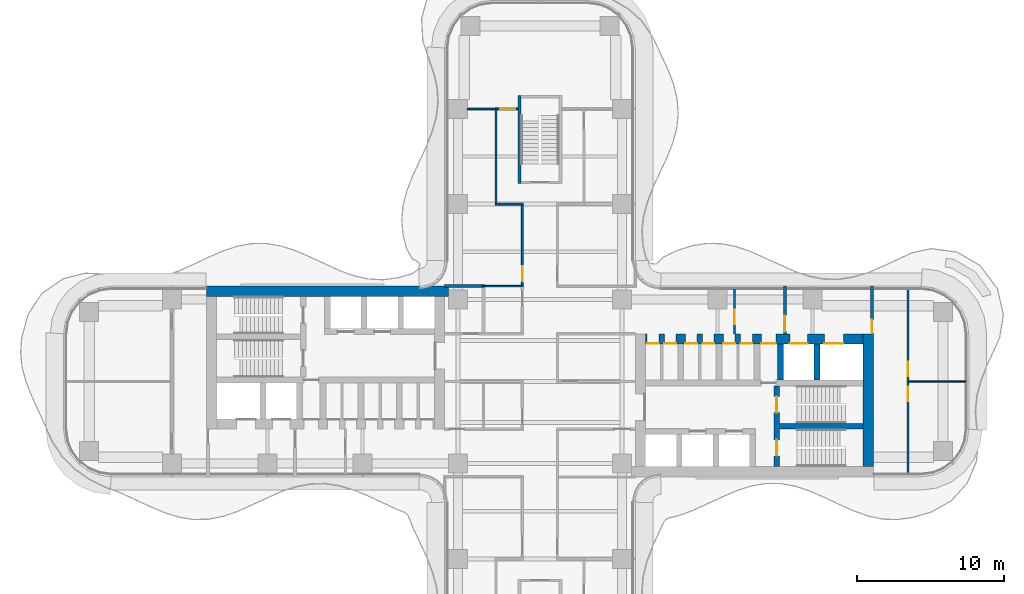
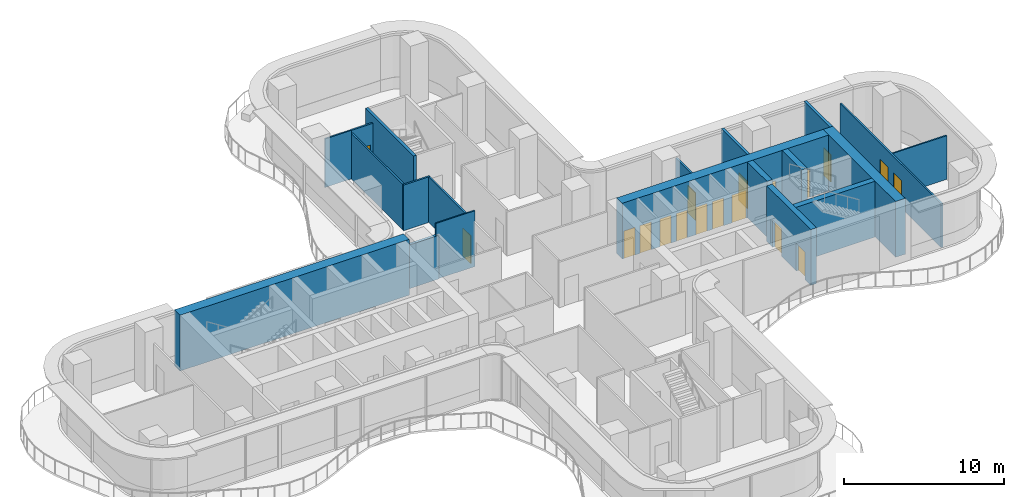
# One storey, part 18 of 21: 20 walls, 18 doors, 18 openings.
"""IFC4 building model written with IfcOpenShell, lengths in metres."""

from ifc_helpers import new_model, si_unit, direction, frame, frame_2d, origin, place, context, subcontext, project, spatial, rectangle, extrude, source, transform, mapped, material, layer, layer_set, type_object, element, fill, save


model = new_model("IFC4")

# Units and contexts
model_context = context("Model", 3, precision=1e-05, world=origin(), true_north=direction((0.0, 1.0)))
body_context = subcontext(model_context, "Body", "Model", "MODEL_VIEW")
ifc_project = project(units=[si_unit("LENGTHUNIT", "METRE"), si_unit("AREAUNIT", "SQUARE_METRE"), si_unit("VOLUMEUNIT", "CUBIC_METRE"), si_unit("PLANEANGLEUNIT", "RADIAN"), si_unit("MASSUNIT", "GRAM", prefix="KILO")], contexts=[model_context])

# Site, building, storey
site_placement = place(None, origin())
site = spatial("IfcSite", under=ifc_project, at=site_placement, CompositionType="ELEMENT")
building_placement = place(site_placement, origin())
building = spatial("IfcBuilding", under=site, at=building_placement, Name="Trellis Farm Tower", CompositionType="ELEMENT")
storey_placement = place(building_placement, frame((0.0, 0.0, 138.0)))
storey = spatial("IfcBuildingStorey", under=building, at=storey_placement, Name="L29", CompositionType="ELEMENT", Elevation=138.0)

# Walls
ifc_material_1 = material(Name="Concrete C70/85", Category="concrete")
ifc_layer_1 = layer(ifc_material_1, 0.699951171875)
ifc_layer_set_1 = layer_set([ifc_layer_1], Name="CORE OUTER WALL 700 CONCRETE C70/85")
wall_type_1 = type_object("IfcWallType", Name="CORE OUTER WALL 700 CONCRETE C70/85", PredefinedType="SHEAR", material=ifc_layer_set_1)
shared_shape_1 = source(origin(), body_context, "Body", "SweptSolid", [
    extrude(rectangle(XDim=9.050048828125, YDim=0.699951171875, at=frame_2d((4.52490234375, 0.0))), origin(), (0.0, 0.0, 1.0), 4.25),
])
wall_1_placement = place(storey_placement, frame((22.39990234375, -5.800048828125, 0.0), z_axis=(0.0, 0.0, 1.0), x_axis=(0.0, 1.0, 0.0)))
element("IfcWall", 1, at=wall_1_placement, inside=storey, type_object=wall_type_1, Name="Core wall", PredefinedType="SHEAR", context=body_context, shape_type="MappedRepresentation", body=[
    mapped(shared_shape_1, transform((0.0, 0.0, 0.0))),
])
ifc_layer_2 = layer(ifc_material_1, 0.39990234375)
ifc_layer_set_2 = layer_set([ifc_layer_2], Name="CORE INNER WALL 400 CONCRETE C70/85")
wall_type_2 = type_object("IfcWallType", Name="CORE INNER WALL 400 CONCRETE C70/85", PredefinedType="SHEAR", material=ifc_layer_set_2)
shared_shape_2 = source(origin(), body_context, "Body", "SweptSolid", [
    extrude(rectangle(XDim=2.449951171875, YDim=0.39990234375, at=frame_2d((1.22509765625, 0.0))), origin(), (0.0, 0.0, 1.0), 4.25),
])
for number, where, z_axis, x_axis, name in (
    (2, (16.39990234375, 0.10009765625, 0.0), (0.0, 0.0, 1.0), (0.0, 1.0, 0.0), "Core wall"),
    (3, (18.89990234375, 0.10009765625, 0.0), (0.0, 0.0, 1.0), (0.0, 1.0, 0.0), "Core wall"),
):
    element("IfcWall", number, at=place(storey_placement, frame(where, z_axis=z_axis, x_axis=x_axis)), inside=storey, type_object=wall_type_2, Name=name, PredefinedType="SHEAR", context=body_context, shape_type="MappedRepresentation", body=[
        mapped(shared_shape_2, transform((0.0, 0.0, 0.0))),
    ])

# Wall, opening, door
ifc_material_2 = material(Name="Masonry blockwork", Category="masonry")
ifc_layer_3 = layer(ifc_material_2, 0.199951171875)
ifc_layer_set_3 = layer_set([ifc_layer_3], Name="FIRE LOBBY PARTITION 200 BLOCKWORK")
wall_type_3 = type_object("IfcWallType", Name="FIRE LOBBY PARTITION 200 BLOCKWORK", PredefinedType="PARTITIONING", material=ifc_layer_set_3)
shared_shape_3 = source(origin(), body_context, "Body", "SweptSolid", [
    extrude(rectangle(XDim=3.25, YDim=0.199951171875, at=frame_2d((1.625, 0.0))), origin(), (0.0, 0.0, 1.0), 4.25),
])
wall_2_placement = place(storey_placement, frame((16.699951171875, 3.25, 0.0), z_axis=(0.0, 0.0, 1.0), x_axis=(0.0, 1.0, 0.0)))
wall_2 = element("IfcWall", 4, at=wall_2_placement, inside=storey, type_object=wall_type_3, Name="Fire-fighting lobby partition", PredefinedType="PARTITIONING", context=body_context, shape_type="MappedRepresentation", body=[
    mapped(shared_shape_3, transform((0.0, 0.0, 0.0))),
])
shared_shape_4 = source(origin(), body_context, "Body", "SweptSolid", [
    extrude(rectangle(XDim=1.10009765625, YDim=2.10009765625, at=frame_2d((0.550048828125, 1.050048828125))), frame((0.0, 0.110107421875, 0.0), z_axis=(0.0, -1.0, 0.0), x_axis=(1.0, 0.0, 0.0)), (0.0, 0.0, 1.0), 0.22021484375),
])
opening_1_placement = place(wall_2_placement, frame((0.14990234375, 0.0, 0.0)))
opening_1 = element("IfcOpeningElement", 5, at=opening_1_placement, cuts=wall_2, Name="Opening DC7", PredefinedType="OPENING", context=body_context, shape_type="MappedRepresentation", body=[
    mapped(shared_shape_4, transform((0.0, 0.0, 0.0))),
])
ifc_material_3 = material(Name="Steel", Category="steel")
door_type_1 = type_object("IfcDoorType", Name="CORE FIRE DOOR 1100 X 2100", OperationType="NOTDEFINED", PredefinedType="DOOR", material=ifc_material_3)
shared_shape_5 = source(origin(), body_context, "Body", "SweptSolid", [
    extrude(rectangle(XDim=1.10009765625, YDim=2.10009765625, at=frame_2d((0.550048828125, 1.050048828125))), frame((0.0, 0.02490234375, 0.0), z_axis=(0.0, -1.0, 0.0), x_axis=(1.0, 0.0, 0.0)), (0.0, 0.0, 1.0), 0.050048828125),
])
door_1_placement = place(opening_1_placement, origin())
door_1 = element("IfcDoor", 6, at=door_1_placement, inside=storey, type_object=door_type_1, Name="Core door", OperationType="SINGLE_SWING_RIGHT", OverallHeight=2.10009765625, OverallWidth=1.10009765625, PredefinedType="DOOR", context=body_context, shape_type="MappedRepresentation", body=[
    mapped(shared_shape_5, transform((0.0, 0.0, 0.0))),
])
fill(opening_1, door_1)

wall_3_placement = place(storey_placement, frame((22.64990234375, 3.25, 0.0), z_axis=(0.0, 0.0, 1.0), x_axis=(0.0, 1.0, 0.0)))
wall_3 = element("IfcWall", 7, at=wall_3_placement, inside=storey, type_object=wall_type_3, Name="Fire-fighting lobby partition", PredefinedType="PARTITIONING", context=body_context, shape_type="MappedRepresentation", body=[
    mapped(shared_shape_3, transform((0.0, 0.0, 0.0))),
])
shared_shape_6 = source(origin(), body_context, "Body", "SweptSolid", [
    extrude(rectangle(XDim=0.89990234375, YDim=2.10009765625, at=frame_2d((0.449951171875, 1.050048828125))), frame((0.0, 0.110107421875, 0.0), z_axis=(0.0, -1.0, 0.0), x_axis=(1.0, 0.0, 0.0)), (0.0, 0.0, 1.0), 0.22021484375),
])
opening_2_placement = place(wall_3_placement, frame((0.050048828125, 0.0, 0.0)))
opening_2 = element("IfcOpeningElement", 8, at=opening_2_placement, cuts=wall_3, Name="Opening DC8", PredefinedType="OPENING", context=body_context, shape_type="MappedRepresentation", body=[
    mapped(shared_shape_6, transform((0.0, 0.0, 0.0))),
])
door_type_2 = type_object("IfcDoorType", Name="CORE FIRE DOOR 900 X 2100", OperationType="NOTDEFINED", PredefinedType="DOOR", material=ifc_material_3)
shared_shape_7 = source(origin(), body_context, "Body", "SweptSolid", [
    extrude(rectangle(XDim=0.89990234375, YDim=2.10009765625, at=frame_2d((0.449951171875, 1.050048828125))), frame((0.0, 0.02490234375, 0.0), z_axis=(0.0, -1.0, 0.0), x_axis=(1.0, 0.0, 0.0)), (0.0, 0.0, 1.0), 0.050048828125),
])
door_2_placement = place(opening_2_placement, origin())
door_2 = element("IfcDoor", 9, at=door_2_placement, inside=storey, type_object=door_type_2, Name="Core door", OperationType="SINGLE_SWING_RIGHT", OverallHeight=2.10009765625, OverallWidth=0.89990234375, PredefinedType="DOOR", context=body_context, shape_type="MappedRepresentation", body=[
    mapped(shared_shape_7, transform((0.0, 0.0, 0.0))),
])
fill(opening_2, door_2)

# Wall, openings, doors
shared_shape_8 = source(origin(), body_context, "Body", "SweptSolid", [
    extrude(rectangle(XDim=14.85009765625, YDim=0.699951171875, at=frame_2d((7.425048828125, 0.0))), origin(), (0.0, 0.0, 1.0), 4.25),
])
wall_4_placement = place(storey_placement, frame((7.199951171875, 2.89990234375, 0.0), z_axis=(0.0, 0.0, 1.0), x_axis=(1.0, 0.0, 0.0)))
wall_4 = element("IfcWall", 10, at=wall_4_placement, inside=storey, type_object=wall_type_1, Name="Core wall", PredefinedType="SHEAR", context=body_context, shape_type="MappedRepresentation", body=[
    mapped(shared_shape_8, transform((0.0, 0.0, 0.0))),
])
shared_shape_9 = source(origin(), body_context, "Body", "SweptSolid", [
    extrude(rectangle(XDim=1.300048828125, YDim=2.10009765625, at=frame_2d((0.64990234375, 1.050048828125))), frame((0.0, 0.360107421875, 0.0), z_axis=(0.0, -1.0, 0.0), x_axis=(1.0, 0.0, 0.0)), (0.0, 0.0, 1.0), 0.72021484375),
])
opening_3_placement = place(wall_4_placement, frame((12.199951171875, 0.0, 0.0)))
opening_3 = element("IfcOpeningElement", 11, at=opening_3_placement, cuts=wall_4, Name="Opening LD7", PredefinedType="OPENING", context=body_context, shape_type="MappedRepresentation", body=[
    mapped(shared_shape_9, transform((0.0, 0.0, 0.0))),
])
shared_shape_10 = source(origin(), body_context, "Body", "SweptSolid", [
    extrude(rectangle(XDim=1.199951171875, YDim=2.10009765625, at=frame_2d((0.60009765625, 1.050048828125))), frame((0.0, 0.360107421875, 0.0), z_axis=(0.0, -1.0, 0.0), x_axis=(1.0, 0.0, 0.0)), (0.0, 0.0, 1.0), 0.72021484375),
])
opening_4_placement = place(wall_4_placement, frame((9.85009765625, 0.0, 0.0)))
opening_4 = element("IfcOpeningElement", 12, at=opening_4_placement, cuts=wall_4, Name="Opening LD8", PredefinedType="OPENING", context=body_context, shape_type="MappedRepresentation", body=[
    mapped(shared_shape_10, transform((0.0, 0.0, 0.0))),
])
shared_shape_11 = source(origin(), body_context, "Body", "SweptSolid", [
    extrude(rectangle(XDim=1.0, YDim=2.10009765625, at=frame_2d((0.5, 1.050048828125))), frame((0.0, 0.360107421875, 0.0), z_axis=(0.0, -1.0, 0.0), x_axis=(1.0, 0.0, 0.0)), (0.0, 0.0, 1.0), 0.72021484375),
])
opening_5_placement = place(wall_4_placement, frame((7.89990234375, 0.0, 0.0)))
opening_5 = element("IfcOpeningElement", 13, at=opening_5_placement, cuts=wall_4, Name="Opening DC6", PredefinedType="OPENING", context=body_context, shape_type="MappedRepresentation", body=[
    mapped(shared_shape_11, transform((0.0, 0.0, 0.0))),
])
shared_shape_12 = source(origin(), body_context, "Body", "SweptSolid", [
    extrude(rectangle(XDim=0.800048828125, YDim=2.10009765625, at=frame_2d((0.39990234375, 1.050048828125))), frame((0.0, 0.360107421875, 0.0), z_axis=(0.0, -1.0, 0.0), x_axis=(1.0, 0.0, 0.0)), (0.0, 0.0, 1.0), 0.72021484375),
])
opening_6_placement = place(wall_4_placement, frame((0.112548828125, 0.0, 0.0)))
opening_6 = element("IfcOpeningElement", 14, at=opening_6_placement, cuts=wall_4, Name="Opening DC9", PredefinedType="OPENING", context=body_context, shape_type="MappedRepresentation", body=[
    mapped(shared_shape_12, transform((0.0, 0.0, 0.0))),
])
opening_7_placement = place(wall_4_placement, frame((1.28759765625, 0.0, 0.0)))
opening_7 = element("IfcOpeningElement", 15, at=opening_7_placement, cuts=wall_4, Name="Opening DC16", PredefinedType="OPENING", context=body_context, shape_type="MappedRepresentation", body=[
    mapped(shared_shape_12, transform((0.0, 0.0, 0.0))),
])
opening_8_placement = place(wall_4_placement, frame((2.71240234375, 0.0, 0.0)))
opening_8 = element("IfcOpeningElement", 16, at=opening_8_placement, cuts=wall_4, Name="Opening DC21", PredefinedType="OPENING", context=body_context, shape_type="MappedRepresentation", body=[
    mapped(shared_shape_12, transform((0.0, 0.0, 0.0))),
])
opening_9_placement = place(wall_4_placement, frame((3.887451171875, 0.0, 0.0)))
opening_9 = element("IfcOpeningElement", 17, at=opening_9_placement, cuts=wall_4, Name="Opening DC28", PredefinedType="OPENING", context=body_context, shape_type="MappedRepresentation", body=[
    mapped(shared_shape_12, transform((0.0, 0.0, 0.0))),
])
opening_10_placement = place(wall_4_placement, frame((5.3125, 0.0, 0.0)))
opening_10 = element("IfcOpeningElement", 18, at=opening_10_placement, cuts=wall_4, Name="Opening DC33", PredefinedType="OPENING", context=body_context, shape_type="MappedRepresentation", body=[
    mapped(shared_shape_12, transform((0.0, 0.0, 0.0))),
])
opening_11_placement = place(wall_4_placement, frame((6.487548828125, 0.0, 0.0)))
opening_11 = element("IfcOpeningElement", 19, at=opening_11_placement, cuts=wall_4, Name="Opening DC40", PredefinedType="OPENING", context=body_context, shape_type="MappedRepresentation", body=[
    mapped(shared_shape_12, transform((0.0, 0.0, 0.0))),
])
door_type_3 = type_object("IfcDoorType", Name="CORE FIRE DOOR 1000 X 2100", OperationType="NOTDEFINED", PredefinedType="DOOR", material=ifc_material_3)
shared_shape_13 = source(origin(), body_context, "Body", "SweptSolid", [
    extrude(rectangle(XDim=1.0, YDim=2.10009765625, at=frame_2d((0.5, 1.050048828125))), frame((0.0, -0.27490234375, 0.0), z_axis=(0.0, -1.0, 0.0), x_axis=(1.0, 0.0, 0.0)), (0.0, 0.0, 1.0), 0.050048828125),
])
door_3_placement = place(opening_5_placement, origin())
door_3 = element("IfcDoor", 20, at=door_3_placement, inside=storey, type_object=door_type_3, Name="Core door", OperationType="SINGLE_SWING_LEFT", OverallHeight=2.10009765625, OverallWidth=1.0, PredefinedType="DOOR", context=body_context, shape_type="MappedRepresentation", body=[
    mapped(shared_shape_13, transform((0.0, 0.0, 0.0))),
])
fill(opening_5, door_3)
ifc_material_4 = material(Name="Stainless steel", Category="steel")
door_type_4 = type_object("IfcDoorType", Name="LIFT LANDING DOOR 1300 X 2100", OperationType="DOUBLE_DOOR_SLIDING", PredefinedType="DOOR", material=ifc_material_4)
shared_shape_14 = source(origin(), body_context, "Body", "SweptSolid", [
    extrude(rectangle(XDim=1.300048828125, YDim=2.10009765625, at=frame_2d((0.64990234375, 1.050048828125))), frame((0.0, -0.27490234375, 0.0), z_axis=(0.0, -1.0, 0.0), x_axis=(1.0, 0.0, 0.0)), (0.0, 0.0, 1.0), 0.050048828125),
])
door_4_placement = place(opening_3_placement, origin())
door_4 = element("IfcDoor", 21, at=door_4_placement, inside=storey, type_object=door_type_4, Name="Lift landing door", OperationType="DOUBLE_DOOR_SLIDING", OverallHeight=2.10009765625, OverallWidth=1.300048828125, PredefinedType="DOOR", context=body_context, shape_type="MappedRepresentation", body=[
    mapped(shared_shape_14, transform((0.0, 0.0, 0.0))),
])
fill(opening_3, door_4)
door_type_5 = type_object("IfcDoorType", Name="LIFT LANDING DOOR 1200 X 2100", OperationType="DOUBLE_DOOR_SLIDING", PredefinedType="DOOR", material=ifc_material_4)
shared_shape_15 = source(origin(), body_context, "Body", "SweptSolid", [
    extrude(rectangle(XDim=1.199951171875, YDim=2.10009765625, at=frame_2d((0.60009765625, 1.050048828125))), frame((0.0, -0.27490234375, 0.0), z_axis=(0.0, -1.0, 0.0), x_axis=(1.0, 0.0, 0.0)), (0.0, 0.0, 1.0), 0.050048828125),
])
door_5_placement = place(opening_4_placement, origin())
door_5 = element("IfcDoor", 22, at=door_5_placement, inside=storey, type_object=door_type_5, Name="Lift landing door", OperationType="DOUBLE_DOOR_SLIDING", OverallHeight=2.10009765625, OverallWidth=1.199951171875, PredefinedType="DOOR", context=body_context, shape_type="MappedRepresentation", body=[
    mapped(shared_shape_15, transform((0.0, 0.0, 0.0))),
])
fill(opening_4, door_5)
door_type_6 = type_object("IfcDoorType", Name="CORE FIRE DOOR 800 X 2100", OperationType="NOTDEFINED", PredefinedType="DOOR", material=ifc_material_3)
shared_shape_16 = source(origin(), body_context, "Body", "SweptSolid", [
    extrude(rectangle(XDim=0.800048828125, YDim=2.10009765625, at=frame_2d((0.39990234375, 1.050048828125))), frame((0.0, -0.27490234375, 0.0), z_axis=(0.0, -1.0, 0.0), x_axis=(1.0, 0.0, 0.0)), (0.0, 0.0, 1.0), 0.050048828125),
])
door_6_placement = place(opening_6_placement, origin())
door_6 = element("IfcDoor", 23, at=door_6_placement, inside=storey, type_object=door_type_6, Name="Core door", OperationType="SINGLE_SWING_LEFT", OverallHeight=2.10009765625, OverallWidth=0.800048828125, PredefinedType="DOOR", context=body_context, shape_type="MappedRepresentation", body=[
    mapped(shared_shape_16, transform((0.0, 0.0, 0.0))),
])
fill(opening_6, door_6)
door_7_placement = place(opening_7_placement, origin())
door_7 = element("IfcDoor", 24, at=door_7_placement, inside=storey, type_object=door_type_6, Name="Core door", OperationType="SINGLE_SWING_RIGHT", OverallHeight=2.10009765625, OverallWidth=0.800048828125, PredefinedType="DOOR", context=body_context, shape_type="MappedRepresentation", body=[
    mapped(shared_shape_16, transform((0.0, 0.0, 0.0))),
])
fill(opening_7, door_7)
door_8_placement = place(opening_8_placement, origin())
door_8 = element("IfcDoor", 25, at=door_8_placement, inside=storey, type_object=door_type_6, Name="Core door", OperationType="SINGLE_SWING_LEFT", OverallHeight=2.10009765625, OverallWidth=0.800048828125, PredefinedType="DOOR", context=body_context, shape_type="MappedRepresentation", body=[
    mapped(shared_shape_16, transform((0.0, 0.0, 0.0))),
])
fill(opening_8, door_8)
door_9_placement = place(opening_9_placement, origin())
door_9 = element("IfcDoor", 26, at=door_9_placement, inside=storey, type_object=door_type_6, Name="Core door", OperationType="SINGLE_SWING_RIGHT", OverallHeight=2.10009765625, OverallWidth=0.800048828125, PredefinedType="DOOR", context=body_context, shape_type="MappedRepresentation", body=[
    mapped(shared_shape_16, transform((0.0, 0.0, 0.0))),
])
fill(opening_9, door_9)
door_10_placement = place(opening_10_placement, origin())
door_10 = element("IfcDoor", 27, at=door_10_placement, inside=storey, type_object=door_type_6, Name="Core door", OperationType="SINGLE_SWING_LEFT", OverallHeight=2.10009765625, OverallWidth=0.800048828125, PredefinedType="DOOR", context=body_context, shape_type="MappedRepresentation", body=[
    mapped(shared_shape_16, transform((0.0, 0.0, 0.0))),
])
fill(opening_10, door_10)
door_11_placement = place(opening_11_placement, origin())
door_11 = element("IfcDoor", 28, at=door_11_placement, inside=storey, type_object=door_type_6, Name="Core door", OperationType="SINGLE_SWING_RIGHT", OverallHeight=2.10009765625, OverallWidth=0.800048828125, PredefinedType="DOOR", context=body_context, shape_type="MappedRepresentation", body=[
    mapped(shared_shape_16, transform((0.0, 0.0, 0.0))),
])
fill(opening_11, door_11)

shared_shape_17 = source(origin(), body_context, "Body", "SweptSolid", [
    extrude(rectangle(XDim=5.5, YDim=0.39990234375, at=frame_2d((2.75, 0.0))), origin(), (0.0, 0.0, 1.0), 4.25),
])
wall_5_placement = place(storey_placement, frame((16.14990234375, -5.800048828125, 0.0), z_axis=(0.0, 0.0, 1.0), x_axis=(0.0, 1.0, 0.0)))
wall_5 = element("IfcWall", 29, at=wall_5_placement, inside=storey, type_object=wall_type_2, Name="Core wall", PredefinedType="SHEAR", context=body_context, shape_type="MappedRepresentation", body=[
    mapped(shared_shape_17, transform((0.0, 0.0, 0.0))),
])
shared_shape_18 = source(origin(), body_context, "Body", "SweptSolid", [
    extrude(rectangle(XDim=1.10009765625, YDim=2.10009765625, at=frame_2d((0.550048828125, 1.050048828125))), frame((0.0, 0.2099609375, 0.0), z_axis=(0.0, -1.0, 0.0), x_axis=(1.0, 0.0, 0.0)), (0.0, 0.0, 1.0), 0.419921875),
])
opening_12_placement = place(wall_5_placement, frame((0.72509765625, 0.0, 0.0)))
opening_12 = element("IfcOpeningElement", 30, at=opening_12_placement, cuts=wall_5, Name="Opening DC2", PredefinedType="OPENING", context=body_context, shape_type="MappedRepresentation", body=[
    mapped(shared_shape_18, transform((0.0, 0.0, 0.0))),
])
opening_13_placement = place(wall_5_placement, frame((3.675048828125, 0.0, 0.0)))
opening_13 = element("IfcOpeningElement", 31, at=opening_13_placement, cuts=wall_5, Name="Opening DC3", PredefinedType="OPENING", context=body_context, shape_type="MappedRepresentation", body=[
    mapped(shared_shape_18, transform((0.0, 0.0, 0.0))),
])
door_12_placement = place(opening_12_placement, origin())
door_12 = element("IfcDoor", 32, at=door_12_placement, inside=storey, type_object=door_type_1, Name="Core door", OperationType="SINGLE_SWING_RIGHT", OverallHeight=2.10009765625, OverallWidth=1.10009765625, PredefinedType="DOOR", context=body_context, shape_type="MappedRepresentation", body=[
    mapped(shared_shape_5, transform((0.0, 0.0, 0.0))),
])
fill(opening_12, door_12)
door_13_placement = place(opening_13_placement, origin())
door_13 = element("IfcDoor", 33, at=door_13_placement, inside=storey, type_object=door_type_1, Name="Core door", OperationType="SINGLE_SWING_LEFT", OverallHeight=2.10009765625, OverallWidth=1.10009765625, PredefinedType="DOOR", context=body_context, shape_type="MappedRepresentation", body=[
    mapped(shared_shape_5, transform((0.0, 0.0, 0.0))),
])
fill(opening_13, door_13)

# Walls
shared_shape_19 = source(origin(), body_context, "Body", "SweptSolid", [
    extrude(rectangle(XDim=5.699951171875, YDim=0.39990234375, at=frame_2d((2.85009765625, 0.0))), origin(), (0.0, 0.0, 1.0), 4.25),
])
wall_6_placement = place(storey_placement, frame((16.35009765625, -3.050048828125, 0.0), z_axis=(0.0, 0.0, 1.0), x_axis=(1.0, 0.0, 0.0)))
element("IfcWall", 34, at=wall_6_placement, inside=storey, type_object=wall_type_2, Name="Core wall", PredefinedType="SHEAR", context=body_context, shape_type="MappedRepresentation", body=[
    mapped(shared_shape_19, transform((0.0, 0.0, 0.0))),
])
shared_shape_20 = source(origin(), body_context, "Body", "SweptSolid", [
    extrude(rectangle(XDim=16.5, YDim=0.699951171875, at=frame_2d((8.25, 0.0))), origin(), (0.0, 0.0, 1.0), 4.25),
])
wall_7_placement = place(storey_placement, frame((-6.25, 6.14990234375, 0.0), z_axis=(0.0, 0.0, 1.0), x_axis=(-1.0, 0.0, 0.0)))
element("IfcWall", 35, at=wall_7_placement, inside=storey, type_object=wall_type_1, Name="Core wall", PredefinedType="SHEAR", context=body_context, shape_type="MappedRepresentation", body=[
    mapped(shared_shape_20, transform((0.0, 0.0, 0.0))),
])
ifc_layer_4 = layer(ifc_material_1, 0.199951171875)
ifc_layer_set_4 = layer_set([ifc_layer_4], Name="CORE STAIR ENCLOSURE WALL 200 CONCRETE C70/85")
wall_type_4 = type_object("IfcWallType", Name="CORE STAIR ENCLOSURE WALL 200 CONCRETE C70/85", PredefinedType="SHEAR", material=ifc_layer_set_4)
shared_shape_21 = source(origin(), body_context, "Body", "SweptSolid", [
    extrude(rectangle(XDim=6.0, YDim=0.199951171875, at=frame_2d((3.0, 0.0))), origin(), (0.0, 0.0, 1.0), 4.25),
])
wall_8_placement = place(storey_placement, frame((-1.39990234375, 13.5, 0.0), z_axis=(0.0, 0.0, 1.0), x_axis=(0.0, 1.0, 0.0)))
element("IfcWall", 36, at=wall_8_placement, inside=storey, type_object=wall_type_4, Name="Stair enclosure wall", PredefinedType="SHEAR", context=body_context, shape_type="MappedRepresentation", body=[
    mapped(shared_shape_21, transform((0.0, 0.0, 0.0))),
])
ifc_material_5 = material(Name="Plasterboard on steel studs, mineral wool", Category="steel")
ifc_layer_5 = layer(ifc_material_5, 0.125)
ifc_layer_set_5 = layer_set([ifc_layer_5], Name="PARTITION 125 STUD EI 60")
wall_type_5 = type_object("IfcWallType", Name="PARTITION 125 STUD EI 60", PredefinedType="PARTITIONING", material=ifc_layer_set_5)
shared_shape_22 = source(origin(), body_context, "Body", "SweptSolid", [
    extrude(rectangle(XDim=1.925048828125, YDim=0.125, at=frame_2d((0.96240234375, 0.0))), origin(), (0.0, 0.0, 1.0), 3.4677734375),
])
wall_9_placement = place(storey_placement, frame((-1.137451171875, 12.10009765625, 0.0), z_axis=(0.0, 0.0, 1.0), x_axis=(-1.0, 0.0, 0.0)))
element("IfcWall", 37, at=wall_9_placement, inside=storey, type_object=wall_type_5, Name="Partition PW1", PredefinedType="PARTITIONING", context=body_context, shape_type="MappedRepresentation", body=[
    mapped(shared_shape_22, transform((0.0, 0.0, 0.0))),
])

# Wall, opening, door
shared_shape_23 = source(origin(), body_context, "Body", "SweptSolid", [
    extrude(rectangle(XDim=5.487548828125, YDim=0.125, at=frame_2d((2.74365234375, 0.0))), origin(), (0.0, 0.0, 1.0), 3.4677734375),
])
wall_10_placement = place(storey_placement, frame((-1.199951171875, 6.550048828125, 0.0), z_axis=(0.0, 0.0, 1.0), x_axis=(0.0, 1.0, 0.0)))
wall_10 = element("IfcWall", 38, at=wall_10_placement, inside=storey, type_object=wall_type_5, Name="Partition PW1", PredefinedType="PARTITIONING", context=body_context, shape_type="MappedRepresentation", body=[
    mapped(shared_shape_23, transform((0.0, 0.0, 0.0))),
])
shared_shape_24 = source(origin(), body_context, "Body", "SweptSolid", [
    extrude(rectangle(XDim=1.0, YDim=2.10009765625, at=frame_2d((0.5, 1.050048828125))), frame((0.0, 0.072509765625, 0.0), z_axis=(0.0, -1.0, 0.0), x_axis=(1.0, 0.0, 0.0)), (0.0, 0.0, 1.0), 0.14501953125),
])
opening_14_placement = place(wall_10_placement, frame((0.300048828125, 0.0, 0.0)))
opening_14 = element("IfcOpeningElement", 39, at=opening_14_placement, cuts=wall_10, Name="Opening D112", PredefinedType="OPENING", context=body_context, shape_type="MappedRepresentation", body=[
    mapped(shared_shape_24, transform((0.0, 0.0, 0.0))),
])
ifc_material_6 = material(Name="Fire-rated timber door leaf in a hollow metal frame", Category="wood")
door_type_7 = type_object("IfcDoorType", Name="DOOR 1000x2100 FD30S", OperationType="NOTDEFINED", PredefinedType="DOOR", material=ifc_material_6)
shared_shape_25 = source(origin(), body_context, "Body", "SweptSolid", [
    extrude(rectangle(XDim=1.0, YDim=2.10009765625, at=frame_2d((0.5, 1.050048828125))), frame((0.0, 0.02490234375, 0.0), z_axis=(0.0, -1.0, 0.0), x_axis=(1.0, 0.0, 0.0)), (0.0, 0.0, 1.0), 0.050048828125),
])
door_14_placement = place(opening_14_placement, origin())
door_14 = element("IfcDoor", 40, at=door_14_placement, inside=storey, type_object=door_type_7, Name="Door D112", OperationType="SINGLE_SWING_LEFT", OverallHeight=2.10009765625, OverallWidth=1.0, PredefinedType="DOOR", context=body_context, shape_type="MappedRepresentation", body=[
    mapped(shared_shape_25, transform((0.0, 0.0, 0.0))),
])
fill(opening_14, door_14)

shared_shape_26 = source(origin(), body_context, "Body", "SweptSolid", [
    extrude(rectangle(XDim=3.050048828125, YDim=0.125, at=frame_2d((1.52490234375, 0.0))), origin(), (0.0, 0.0, 1.0), 3.330078125),
])
wall_11_placement = place(storey_placement, frame((13.26708984375, 3.25, 0.0), z_axis=(0.0, 0.0, 1.0), x_axis=(0.0, 1.0, 0.0)))
wall_11 = element("IfcWall", 41, at=wall_11_placement, inside=storey, type_object=wall_type_5, Name="Partition PW1", PredefinedType="PARTITIONING", context=body_context, shape_type="MappedRepresentation", body=[
    mapped(shared_shape_26, transform((0.0, 0.0, 0.0))),
])
opening_15_placement = place(wall_11_placement, frame((0.64990234375, 0.0, 0.0)))
opening_15 = element("IfcOpeningElement", 42, at=opening_15_placement, cuts=wall_11, Name="Opening D303", PredefinedType="OPENING", context=body_context, shape_type="MappedRepresentation", body=[
    mapped(shared_shape_24, transform((0.0, 0.0, 0.0))),
])
door_type_8 = type_object("IfcDoorType", Name="DOOR 1000x2100 FD60", OperationType="NOTDEFINED", PredefinedType="DOOR", material=ifc_material_6)
door_15_placement = place(opening_15_placement, origin())
door_15 = element("IfcDoor", 43, at=door_15_placement, inside=storey, type_object=door_type_8, Name="Door D303", OperationType="SINGLE_SWING_LEFT", OverallHeight=2.10009765625, OverallWidth=1.0, PredefinedType="DOOR", context=body_context, shape_type="MappedRepresentation", body=[
    mapped(shared_shape_25, transform((0.0, 0.0, 0.0))),
])
fill(opening_15, door_15)

shared_shape_27 = source(origin(), body_context, "Body", "SweptSolid", [
    extrude(rectangle(XDim=1.5625, YDim=0.125, at=frame_2d((0.78125, 0.0))), origin(), (0.0, 0.0, 1.0), 3.697021484375),
])
wall_12_placement = place(storey_placement, frame((-3.0625, 18.60009765625, 0.0), z_axis=(0.0, 0.0, 1.0), x_axis=(1.0, 0.0, 0.0)))
wall_12 = element("IfcWall", 44, at=wall_12_placement, inside=storey, type_object=wall_type_5, Name="Partition PW1", PredefinedType="PARTITIONING", context=body_context, shape_type="MappedRepresentation", body=[
    mapped(shared_shape_27, transform((0.0, 0.0, 0.0))),
])
opening_16_placement = place(wall_12_placement, frame((0.362548828125, 0.0, 0.0)))
opening_16 = element("IfcOpeningElement", 45, at=opening_16_placement, cuts=wall_12, Name="Opening D114", PredefinedType="OPENING", context=body_context, shape_type="MappedRepresentation", body=[
    mapped(shared_shape_24, transform((0.0, 0.0, 0.0))),
])
door_16_placement = place(opening_16_placement, origin())
door_16 = element("IfcDoor", 46, at=door_16_placement, inside=storey, type_object=door_type_7, Name="Door D114", OperationType="SINGLE_SWING_RIGHT", OverallHeight=2.10009765625, OverallWidth=1.0, PredefinedType="DOOR", context=body_context, shape_type="MappedRepresentation", body=[
    mapped(shared_shape_25, transform((0.0, 0.0, 0.0))),
])
fill(opening_16, door_16)

# Walls
shared_shape_28 = source(origin(), body_context, "Body", "SweptSolid", [
    extrude(rectangle(XDim=6.387451171875, YDim=0.125, at=frame_2d((3.19384765625, 0.0))), origin(), (0.0, 0.0, 1.0), 3.4677734375),
])
wall_13_placement = place(storey_placement, frame((-3.0, 12.16259765625, 0.0), z_axis=(0.0, 0.0, 1.0), x_axis=(0.0, 1.0, 0.0)))
element("IfcWall", 47, at=wall_13_placement, inside=storey, type_object=wall_type_5, Name="Partition PW1", PredefinedType="PARTITIONING", context=body_context, shape_type="MappedRepresentation", body=[
    mapped(shared_shape_28, transform((0.0, 0.0, 0.0))),
])
ifc_material_7 = material(Name="Plasterboard on steel studs", Category="steel")
ifc_layer_6 = layer(ifc_material_7, 0.10009765625)
ifc_layer_set_6 = layer_set([ifc_layer_6], Name="PARTITION 100 STUD EI 30")
wall_type_6 = type_object("IfcWallType", Name="PARTITION 100 STUD EI 30", PredefinedType="PARTITIONING", material=ifc_layer_set_6)
shared_shape_29 = source(origin(), body_context, "Body", "SweptSolid", [
    extrude(rectangle(XDim=2.012451171875, YDim=0.10009765625, at=frame_2d((1.00634765625, 0.0))), origin(), (0.0, 0.0, 1.0), 3.697021484375),
])
wall_14_placement = place(storey_placement, frame((-4.949951171875, 18.60009765625, 0.0), z_axis=(0.0, 0.0, 1.0), x_axis=(1.0, 0.0, 0.0)))
element("IfcWall", 48, at=wall_14_placement, inside=storey, type_object=wall_type_6, Name="Partition PW2", PredefinedType="PARTITIONING", context=body_context, shape_type="MappedRepresentation", body=[
    mapped(shared_shape_29, transform((0.0, 0.0, 0.0))),
])

# Wall, openings, doors
shared_shape_30 = source(origin(), body_context, "Body", "SweptSolid", [
    extrude(rectangle(XDim=12.60009765625, YDim=0.125, at=frame_2d((6.300048828125, 0.0))), origin(), (0.0, 0.0, 1.0), 3.330078125),
])
wall_15_placement = place(storey_placement, frame((25.10009765625, 6.300048828125, 0.0), z_axis=(0.0, 0.0, 1.0), x_axis=(0.0, -1.0, 0.0)))
wall_15 = element("IfcWall", 49, at=wall_15_placement, inside=storey, type_object=wall_type_5, Name="Partition PW1", PredefinedType="PARTITIONING", context=body_context, shape_type="MappedRepresentation", body=[
    mapped(shared_shape_30, transform((0.0, 0.0, 0.0))),
])
opening_17_placement = place(wall_15_placement, frame((6.64990234375, 0.0, 0.0)))
opening_17 = element("IfcOpeningElement", 50, at=opening_17_placement, cuts=wall_15, Name="Opening D107", PredefinedType="OPENING", context=body_context, shape_type="MappedRepresentation", body=[
    mapped(shared_shape_24, transform((0.0, 0.0, 0.0))),
])
opening_18_placement = place(wall_15_placement, frame((4.949951171875, 0.0, 0.0)))
opening_18 = element("IfcOpeningElement", 51, at=opening_18_placement, cuts=wall_15, Name="Opening D109", PredefinedType="OPENING", context=body_context, shape_type="MappedRepresentation", body=[
    mapped(shared_shape_24, transform((0.0, 0.0, 0.0))),
])
door_17_placement = place(opening_17_placement, origin())
door_17 = element("IfcDoor", 52, at=door_17_placement, inside=storey, type_object=door_type_7, Name="Door D107", OperationType="SINGLE_SWING_LEFT", OverallHeight=2.10009765625, OverallWidth=1.0, PredefinedType="DOOR", context=body_context, shape_type="MappedRepresentation", body=[
    mapped(shared_shape_25, transform((0.0, 0.0, 0.0))),
])
fill(opening_17, door_17)
door_18_placement = place(opening_18_placement, origin())
door_18 = element("IfcDoor", 53, at=door_18_placement, inside=storey, type_object=door_type_7, Name="Door D109", OperationType="SINGLE_SWING_RIGHT", OverallHeight=2.10009765625, OverallWidth=1.0, PredefinedType="DOOR", context=body_context, shape_type="MappedRepresentation", body=[
    mapped(shared_shape_25, transform((0.0, 0.0, 0.0))),
])
fill(opening_18, door_18)

# Walls
shared_shape_31 = source(origin(), body_context, "Body", "SweptSolid", [
    extrude(rectangle(XDim=3.887451171875, YDim=0.10009765625, at=frame_2d((1.94384765625, 0.0))), origin(), (0.0, 0.0, 1.0), 3.330078125),
])
wall_16_placement = place(storey_placement, frame((25.16259765625, 0.0, 0.0), z_axis=(0.0, 0.0, 1.0), x_axis=(1.0, 0.0, 0.0)))
element("IfcWall", 54, at=wall_16_placement, inside=storey, type_object=wall_type_6, Name="Partition PW2", PredefinedType="PARTITIONING", context=body_context, shape_type="MappedRepresentation", body=[
    mapped(shared_shape_31, transform((0.0, 0.0, 0.0))),
])
ifc_material_8 = material(Name="Lightweight blockwork, plastered", Category="masonry")
ifc_layer_7 = layer(ifc_material_8, 0.199951171875)
ifc_layer_set_7 = layer_set([ifc_layer_7], Name="BLOCK WALL 200 EI 120")
wall_type_7 = type_object("IfcWallType", Name="BLOCK WALL 200 EI 120", PredefinedType="PARTITIONING", material=ifc_layer_set_7)
shared_shape_32 = source(origin(), body_context, "Body", "SweptSolid", [
    extrude(rectangle(XDim=2.75, YDim=0.199951171875, at=frame_2d((1.375, 0.0))), origin(), (0.0, 0.0, 1.0), 3.330078125),
])
wall_17_placement = place(storey_placement, frame((-6.5, 6.5, 0.0), z_axis=(0.0, 0.0, 1.0), x_axis=(1.0, 0.0, 0.0)))
element("IfcWall", 55, at=wall_17_placement, inside=storey, type_object=wall_type_7, Name="Partition PW3", PredefinedType="PARTITIONING", context=body_context, shape_type="MappedRepresentation", body=[
    mapped(shared_shape_32, transform((0.0, 0.0, 0.0))),
])
shared_shape_33 = source(origin(), body_context, "Body", "SweptSolid", [
    extrude(rectangle(XDim=2.8125, YDim=0.10009765625, at=frame_2d((1.40625, 0.0))), origin(), (0.0, 0.0, 1.0), 4.25),
])
wall_18_placement = place(storey_placement, frame((-3.949951171875, 6.5, 0.0), z_axis=(0.0, 0.0, 1.0), x_axis=(1.0, 0.0, 0.0)))
element("IfcWall", 56, at=wall_18_placement, inside=storey, type_object=wall_type_6, Name="Partition PW2", PredefinedType="PARTITIONING", context=body_context, shape_type="MappedRepresentation", body=[
    mapped(shared_shape_33, transform((0.0, 0.0, 0.0))),
])

save(model, "model.ifc")
